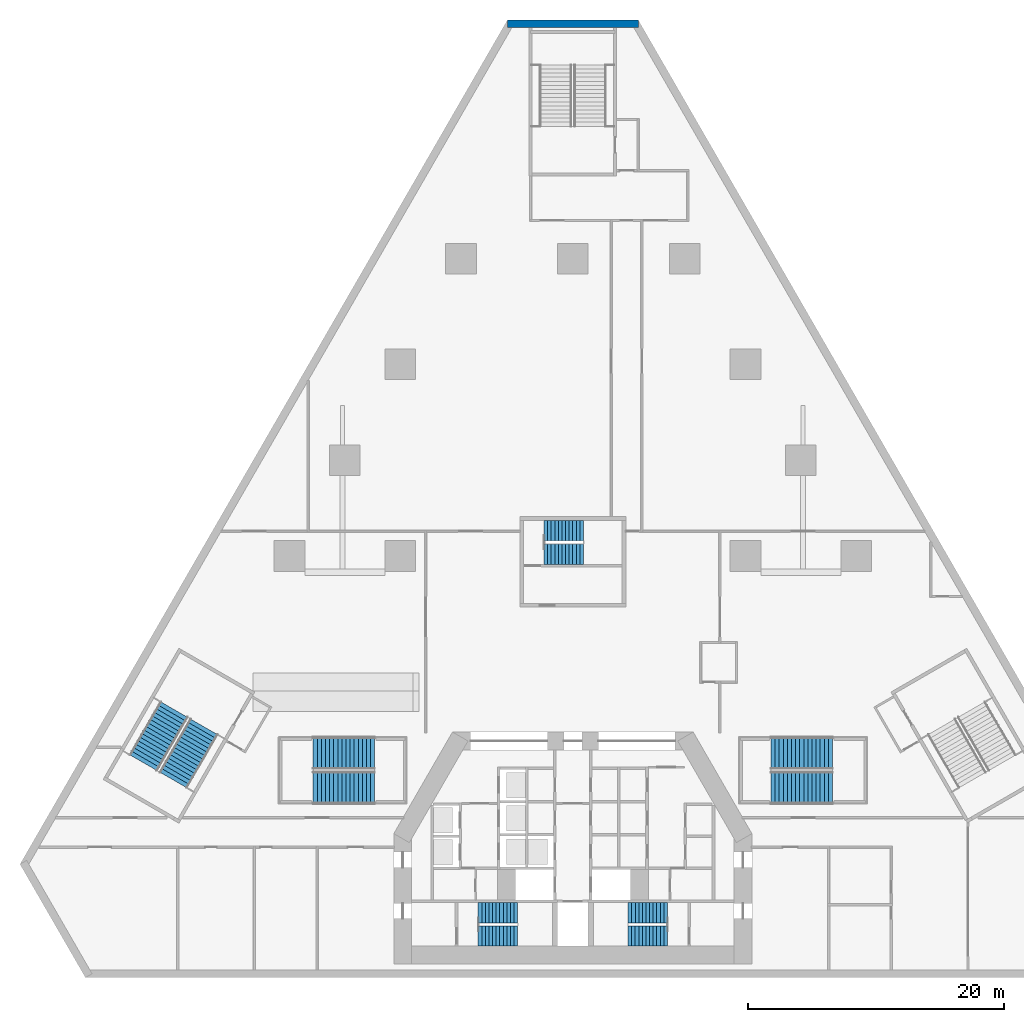
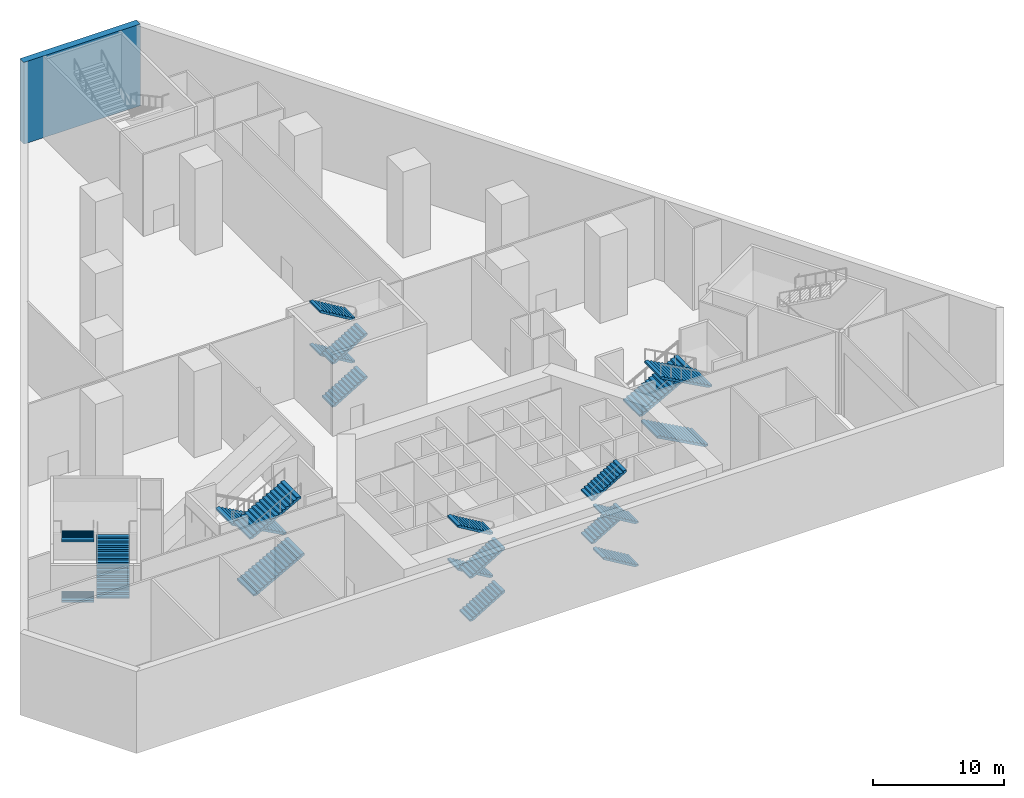
# One storey, part 7 of 11: 21 stair flights, 1 wall, 6 elements without a shape of their own.
"""IFC4 building model written with IfcOpenShell, lengths in metres."""

from ifc_helpers import new_model, si_unit, direction, frame, frame_2d, origin, place, context, subcontext, project, spatial, polyline, rectangle, outline, extrude, material, layer, layer_set, type_object, element, aggregate, save


model = new_model("IFC4")

# Units and contexts
model_context = context("Model", 3, precision=1e-05, world=origin(), true_north=direction((0.0, 1.0)))
body_context = subcontext(model_context, "Body", "Model", "MODEL_VIEW")
ifc_project = project(units=[si_unit("LENGTHUNIT", "METRE"), si_unit("AREAUNIT", "SQUARE_METRE"), si_unit("VOLUMEUNIT", "CUBIC_METRE"), si_unit("PLANEANGLEUNIT", "RADIAN"), si_unit("MASSUNIT", "GRAM", prefix="KILO")], contexts=[model_context])

# Site, building, storey
site_placement = place(None, origin())
site = spatial("IfcSite", under=ifc_project, at=site_placement, CompositionType="ELEMENT")
building_placement = place(site_placement, origin())
building = spatial("IfcBuilding", under=site, at=building_placement, Name="Fogline Exchange Tower", CompositionType="ELEMENT")
storey_placement = place(building_placement, frame((0.0, 0.0, -8.0)))
storey = spatial("IfcBuildingStorey", under=building, at=storey_placement, Name="B1", CompositionType="ELEMENT", Elevation=-8.0)

# Wall
ifc_material = material(Name="Concrete C40", Category="concrete")
ifc_layer = layer(ifc_material, 0.60009765625)
ifc_layer_set = layer_set([ifc_layer], Name="RW01")
wall_type = type_object("IfcWallType", Name="RW01", PredefinedType="SOLIDWALL", material=ifc_layer_set)
wall_placement = place(storey_placement, frame((5.115478515625, 74.378173828125, 0.0), z_axis=(0.0, 0.0, 1.0), x_axis=(-1.0, 0.0, 0.0)))
element("IfcWall", 1, at=wall_placement, inside=storey, type_object=wall_type, Name="B1-W905", PredefinedType="SOLIDWALL", context=body_context, shape_type="SweptSolid", body=[
    extrude(rectangle(XDim=10.23095703125, YDim=0.60009765625, at=frame_2d((5.115478515625, 0.0))), origin(), (0.0, 0.0, 1.0), 7.60009765625),
])

# Stair, stair flights
stair_type_1 = type_object("IfcStairType", Name="PSF0-46-1739", PredefinedType="HALF_TURN_STAIR", material=ifc_material)
stair_1_placement = place(storey_placement, origin())
stair_1 = element("IfcStair", 2, at=stair_1_placement, inside=storey, type_object=stair_type_1, Name="Stair ST4", PredefinedType="HALF_TURN_STAIR")
stair_flight_type_1 = type_object("IfcStairFlightType", Name="PSF1-15-1739", PredefinedType="STRAIGHT", material=ifc_material)
stair_flight_1_placement = place(storey_placement, frame((-31.339111328125, 20.478271484375, 0.0), z_axis=(0.0, 0.0, 1.0), x_axis=(-0.49997940255, -0.866037295401, 0.0)))
stair_flight_1 = element("IfcStairFlight", 3, at=stair_flight_1_placement, type_object=stair_flight_type_1, Name="ST4 flight 1", NumberOfRisers=15, NumberOfTreads=14, PredefinedType="STRAIGHT", RiserHeight=0.173913043, TreadLength=0.32, context=body_context, shape_type="SweptSolid", body=[
    extrude(outline(polyline([(0.0, 0.0), (0.0, 0.173828125), (0.320068359375, 0.173828125), (0.320068359375, 0.347900390625), (0.639892578125, 0.347900390625), (0.639892578125, 0.521728515625), (0.9599609375, 0.521728515625), (0.9599609375, 0.695556640625), (1.280029296875, 0.695556640625), (1.280029296875, 0.86962890625), (1.60009765625, 0.86962890625), (1.60009765625, 1.04345703125), (1.919921875, 1.04345703125), (1.919921875, 1.21728515625), (2.239990234375, 1.21728515625), (2.239990234375, 1.391357421875), (2.56005859375, 1.391357421875), (2.56005859375, 1.565185546875), (2.8798828125, 1.565185546875), (2.8798828125, 1.739013671875), (3.199951171875, 1.739013671875), (3.199951171875, 1.9130859375), (3.52001953125, 1.9130859375), (3.52001953125, 2.0869140625), (3.840087890625, 2.0869140625), (3.840087890625, 2.260986328125), (4.159912109375, 2.260986328125), (4.159912109375, 2.434814453125), (4.47998046875, 2.434814453125), (4.47998046875, 2.608642578125), (4.47998046875, 2.26416015625), (0.31396484375, 0.0), (0.0, 0.0)])), frame((0.0, 1.25, 0.0), z_axis=(0.0, -1.0, 0.0), x_axis=(1.0, 0.0, 0.0)), (0.0, 0.0, 1.0), 2.5),
])
stair_flight_2_placement = place(storey_placement, frame((-31.17919921875, 20.75537109375, 5.391357421875), z_axis=(0.0, 0.0, 1.0), x_axis=(-0.49997940255, -0.866037295401, 0.0)))
stair_flight_2 = element("IfcStairFlight", 4, at=stair_flight_2_placement, type_object=stair_flight_type_1, Name="ST4 flight 3", NumberOfRisers=15, NumberOfTreads=14, PredefinedType="STRAIGHT", RiserHeight=0.173913043, TreadLength=0.32, context=body_context, shape_type="SweptSolid", body=[
    extrude(outline(polyline([(0.0, 0.0), (0.0, 0.173828125), (0.320068359375, 0.173828125), (0.320068359375, 0.347900390625), (0.639892578125, 0.347900390625), (0.639892578125, 0.521728515625), (0.9599609375, 0.521728515625), (0.9599609375, 0.695556640625), (1.280029296875, 0.695556640625), (1.280029296875, 0.86962890625), (1.60009765625, 0.86962890625), (1.60009765625, 1.04345703125), (1.919921875, 1.04345703125), (1.919921875, 1.21728515625), (2.239990234375, 1.21728515625), (2.239990234375, 1.391357421875), (2.56005859375, 1.391357421875), (2.56005859375, 1.565185546875), (2.8798828125, 1.565185546875), (2.8798828125, 1.739013671875), (3.199951171875, 1.739013671875), (3.199951171875, 1.9130859375), (3.52001953125, 1.9130859375), (3.52001953125, 2.0869140625), (3.840087890625, 2.0869140625), (3.840087890625, 2.260986328125), (4.159912109375, 2.260986328125), (4.159912109375, 2.434814453125), (4.47998046875, 2.434814453125), (4.47998046875, 2.608642578125), (4.47998046875, 2.26416015625), (0.31396484375, 0.0), (0.0, 0.0)])), frame((0.0, 1.25, 0.0), z_axis=(0.0, -1.0, 0.0), x_axis=(1.0, 0.0, 0.0)), (0.0, 0.0, 1.0), 2.5),
])

stair_2_placement = place(storey_placement, origin())
stair_2 = element("IfcStair", 5, at=stair_2_placement, inside=storey, type_object=stair_type_1, Name="Public stair PS3", PredefinedType="HALF_TURN_STAIR")
stair_flight_3_placement = place(storey_placement, frame((-19.97998046875, 14.64990234375, 0.0), z_axis=(0.0, 0.0, 1.0), x_axis=(1.0, 0.0, 0.0)))
stair_flight_3 = element("IfcStairFlight", 6, at=stair_flight_3_placement, type_object=stair_flight_type_1, Name="PS3 flight 1", NumberOfRisers=15, NumberOfTreads=14, PredefinedType="STRAIGHT", RiserHeight=0.173913043, TreadLength=0.32, context=body_context, shape_type="SweptSolid", body=[
    extrude(outline(polyline([(0.0, 0.0), (0.0, 0.173828125), (0.320068359375, 0.173828125), (0.320068359375, 0.347900390625), (0.639892578125, 0.347900390625), (0.639892578125, 0.521728515625), (0.9599609375, 0.521728515625), (0.9599609375, 0.695556640625), (1.280029296875, 0.695556640625), (1.280029296875, 0.86962890625), (1.60009765625, 0.86962890625), (1.60009765625, 1.04345703125), (1.919921875, 1.04345703125), (1.919921875, 1.21728515625), (2.239990234375, 1.21728515625), (2.239990234375, 1.391357421875), (2.56005859375, 1.391357421875), (2.56005859375, 1.565185546875), (2.8798828125, 1.565185546875), (2.8798828125, 1.739013671875), (3.199951171875, 1.739013671875), (3.199951171875, 1.9130859375), (3.52001953125, 1.9130859375), (3.52001953125, 2.0869140625), (3.840087890625, 2.0869140625), (3.840087890625, 2.260986328125), (4.159912109375, 2.260986328125), (4.159912109375, 2.434814453125), (4.47998046875, 2.434814453125), (4.47998046875, 2.608642578125), (4.47998046875, 2.26416015625), (0.31396484375, 0.0), (0.0, 0.0)])), frame((0.0, 1.25, 0.0), z_axis=(0.0, -1.0, 0.0), x_axis=(1.0, 0.0, 0.0)), (0.0, 0.0, 1.0), 2.5),
])
stair_flight_4_placement = place(storey_placement, frame((-20.300048828125, 14.64990234375, 5.391357421875), z_axis=(0.0, 0.0, 1.0), x_axis=(1.0, 0.0, 0.0)))
stair_flight_4 = element("IfcStairFlight", 7, at=stair_flight_4_placement, type_object=stair_flight_type_1, Name="PS3 flight 3", NumberOfRisers=15, NumberOfTreads=14, PredefinedType="STRAIGHT", RiserHeight=0.173913043, TreadLength=0.32, context=body_context, shape_type="SweptSolid", body=[
    extrude(outline(polyline([(0.0, 0.0), (0.0, 0.173828125), (0.320068359375, 0.173828125), (0.320068359375, 0.347900390625), (0.639892578125, 0.347900390625), (0.639892578125, 0.521728515625), (0.9599609375, 0.521728515625), (0.9599609375, 0.695556640625), (1.280029296875, 0.695556640625), (1.280029296875, 0.86962890625), (1.60009765625, 0.86962890625), (1.60009765625, 1.04345703125), (1.919921875, 1.04345703125), (1.919921875, 1.21728515625), (2.239990234375, 1.21728515625), (2.239990234375, 1.391357421875), (2.56005859375, 1.391357421875), (2.56005859375, 1.565185546875), (2.8798828125, 1.565185546875), (2.8798828125, 1.739013671875), (3.199951171875, 1.739013671875), (3.199951171875, 1.9130859375), (3.52001953125, 1.9130859375), (3.52001953125, 2.0869140625), (3.840087890625, 2.0869140625), (3.840087890625, 2.260986328125), (4.159912109375, 2.260986328125), (4.159912109375, 2.434814453125), (4.47998046875, 2.434814453125), (4.47998046875, 2.608642578125), (4.47998046875, 2.26416015625), (0.31396484375, 0.0), (0.0, 0.0)])), frame((0.0, 1.25, 0.0), z_axis=(0.0, -1.0, 0.0), x_axis=(1.0, 0.0, 0.0)), (0.0, 0.0, 1.0), 2.5),
])

stair_3_placement = place(storey_placement, origin())
stair_3 = element("IfcStair", 8, at=stair_3_placement, inside=storey, type_object=stair_type_1, Name="Public stair PS4", PredefinedType="HALF_TURN_STAIR")
stair_flight_5_placement = place(storey_placement, frame((19.97998046875, 14.64990234375, 0.0), z_axis=(0.0, 0.0, 1.0), x_axis=(-1.0, 0.0, 0.0)))
stair_flight_5 = element("IfcStairFlight", 9, at=stair_flight_5_placement, type_object=stair_flight_type_1, Name="PS4 flight 1", NumberOfRisers=15, NumberOfTreads=14, PredefinedType="STRAIGHT", RiserHeight=0.173913043, TreadLength=0.32, context=body_context, shape_type="SweptSolid", body=[
    extrude(outline(polyline([(0.0, 0.0), (0.0, 0.173828125), (0.320068359375, 0.173828125), (0.320068359375, 0.347900390625), (0.639892578125, 0.347900390625), (0.639892578125, 0.521728515625), (0.9599609375, 0.521728515625), (0.9599609375, 0.695556640625), (1.280029296875, 0.695556640625), (1.280029296875, 0.86962890625), (1.60009765625, 0.86962890625), (1.60009765625, 1.04345703125), (1.919921875, 1.04345703125), (1.919921875, 1.21728515625), (2.239990234375, 1.21728515625), (2.239990234375, 1.391357421875), (2.56005859375, 1.391357421875), (2.56005859375, 1.565185546875), (2.8798828125, 1.565185546875), (2.8798828125, 1.739013671875), (3.199951171875, 1.739013671875), (3.199951171875, 1.9130859375), (3.52001953125, 1.9130859375), (3.52001953125, 2.0869140625), (3.840087890625, 2.0869140625), (3.840087890625, 2.260986328125), (4.159912109375, 2.260986328125), (4.159912109375, 2.434814453125), (4.47998046875, 2.434814453125), (4.47998046875, 2.608642578125), (4.47998046875, 2.26416015625), (0.31396484375, 0.0), (0.0, 0.0)])), frame((0.0, 1.25, 0.0), z_axis=(0.0, -1.0, 0.0), x_axis=(1.0, 0.0, 0.0)), (0.0, 0.0, 1.0), 2.5),
])
stair_flight_6_placement = place(storey_placement, frame((20.300048828125, 14.64990234375, 5.391357421875), z_axis=(0.0, 0.0, 1.0), x_axis=(-1.0, 0.0, 0.0)))
stair_flight_6 = element("IfcStairFlight", 10, at=stair_flight_6_placement, type_object=stair_flight_type_1, Name="PS4 flight 3", NumberOfRisers=15, NumberOfTreads=14, PredefinedType="STRAIGHT", RiserHeight=0.173913043, TreadLength=0.32, context=body_context, shape_type="SweptSolid", body=[
    extrude(outline(polyline([(0.0, 0.0), (0.0, 0.173828125), (0.320068359375, 0.173828125), (0.320068359375, 0.347900390625), (0.639892578125, 0.347900390625), (0.639892578125, 0.521728515625), (0.9599609375, 0.521728515625), (0.9599609375, 0.695556640625), (1.280029296875, 0.695556640625), (1.280029296875, 0.86962890625), (1.60009765625, 0.86962890625), (1.60009765625, 1.04345703125), (1.919921875, 1.04345703125), (1.919921875, 1.21728515625), (2.239990234375, 1.21728515625), (2.239990234375, 1.391357421875), (2.56005859375, 1.391357421875), (2.56005859375, 1.565185546875), (2.8798828125, 1.565185546875), (2.8798828125, 1.739013671875), (3.199951171875, 1.739013671875), (3.199951171875, 1.9130859375), (3.52001953125, 1.9130859375), (3.52001953125, 2.0869140625), (3.840087890625, 2.0869140625), (3.840087890625, 2.260986328125), (4.159912109375, 2.260986328125), (4.159912109375, 2.434814453125), (4.47998046875, 2.434814453125), (4.47998046875, 2.608642578125), (4.47998046875, 2.26416015625), (0.31396484375, 0.0), (0.0, 0.0)])), frame((0.0, 1.25, 0.0), z_axis=(0.0, -1.0, 0.0), x_axis=(1.0, 0.0, 0.0)), (0.0, 0.0, 1.0), 2.5),
])

# Stair flight
stair_flight_type_2 = type_object("IfcStairFlightType", Name="PSF1-16-1739", PredefinedType="STRAIGHT", material=ifc_material)
stair_flight_7_placement = place(storey_placement, frame((-31.24072265625, 15.24853515625, 2.608642578125), z_axis=(0.0, 0.0, 1.0), x_axis=(0.49997940255, 0.866037295401, 0.0)))
stair_flight_7 = element("IfcStairFlight", 11, at=stair_flight_7_placement, type_object=stair_flight_type_2, Name="ST4 flight 2", NumberOfRisers=16, NumberOfTreads=15, PredefinedType="STRAIGHT", RiserHeight=0.173913043, TreadLength=0.32, context=body_context, shape_type="SweptSolid", body=[
    extrude(outline(polyline([(0.0, 0.0), (0.0, 0.173828125), (0.320068359375, 0.173828125), (0.320068359375, 0.347900390625), (0.639892578125, 0.347900390625), (0.639892578125, 0.521728515625), (0.9599609375, 0.521728515625), (0.9599609375, 0.695556640625), (1.280029296875, 0.695556640625), (1.280029296875, 0.86962890625), (1.60009765625, 0.86962890625), (1.60009765625, 1.04345703125), (1.919921875, 1.04345703125), (1.919921875, 1.21728515625), (2.239990234375, 1.21728515625), (2.239990234375, 1.391357421875), (2.56005859375, 1.391357421875), (2.56005859375, 1.565185546875), (2.8798828125, 1.565185546875), (2.8798828125, 1.739013671875), (3.199951171875, 1.739013671875), (3.199951171875, 1.9130859375), (3.52001953125, 1.9130859375), (3.52001953125, 2.0869140625), (3.840087890625, 2.0869140625), (3.840087890625, 2.260986328125), (4.159912109375, 2.260986328125), (4.159912109375, 2.434814453125), (4.47998046875, 2.434814453125), (4.47998046875, 2.608642578125), (4.800048828125, 2.608642578125), (4.800048828125, 2.78271484375), (4.800048828125, 2.43798828125), (0.31396484375, 0.0), (0.0, 0.0)])), frame((0.0, 1.25, 0.0), z_axis=(0.0, -1.0, 0.0), x_axis=(1.0, 0.0, 0.0)), (0.0, 0.0, 1.0), 2.5),
])

aggregate(stair_1, [stair_flight_1, stair_flight_7, stair_flight_2])

stair_flight_8_placement = place(storey_placement, frame((-15.5, 17.35009765625, 2.608642578125), z_axis=(0.0, 0.0, 1.0), x_axis=(-1.0, 0.0, 0.0)))
stair_flight_8 = element("IfcStairFlight", 12, at=stair_flight_8_placement, type_object=stair_flight_type_2, Name="PS3 flight 2", NumberOfRisers=16, NumberOfTreads=15, PredefinedType="STRAIGHT", RiserHeight=0.173913043, TreadLength=0.32, context=body_context, shape_type="SweptSolid", body=[
    extrude(outline(polyline([(0.0, 0.0), (0.0, 0.173828125), (0.320068359375, 0.173828125), (0.320068359375, 0.347900390625), (0.639892578125, 0.347900390625), (0.639892578125, 0.521728515625), (0.9599609375, 0.521728515625), (0.9599609375, 0.695556640625), (1.280029296875, 0.695556640625), (1.280029296875, 0.86962890625), (1.60009765625, 0.86962890625), (1.60009765625, 1.04345703125), (1.919921875, 1.04345703125), (1.919921875, 1.21728515625), (2.239990234375, 1.21728515625), (2.239990234375, 1.391357421875), (2.56005859375, 1.391357421875), (2.56005859375, 1.565185546875), (2.8798828125, 1.565185546875), (2.8798828125, 1.739013671875), (3.199951171875, 1.739013671875), (3.199951171875, 1.9130859375), (3.52001953125, 1.9130859375), (3.52001953125, 2.0869140625), (3.840087890625, 2.0869140625), (3.840087890625, 2.260986328125), (4.159912109375, 2.260986328125), (4.159912109375, 2.434814453125), (4.47998046875, 2.434814453125), (4.47998046875, 2.608642578125), (4.800048828125, 2.608642578125), (4.800048828125, 2.78271484375), (4.800048828125, 2.43798828125), (0.31396484375, 0.0), (0.0, 0.0)])), frame((0.0, 1.25, 0.0), z_axis=(0.0, -1.0, 0.0), x_axis=(1.0, 0.0, 0.0)), (0.0, 0.0, 1.0), 2.5),
])

aggregate(stair_2, [stair_flight_3, stair_flight_8, stair_flight_4])

stair_flight_9_placement = place(storey_placement, frame((15.5, 17.35009765625, 2.608642578125), z_axis=(0.0, 0.0, 1.0), x_axis=(1.0, 0.0, 0.0)))
stair_flight_9 = element("IfcStairFlight", 13, at=stair_flight_9_placement, type_object=stair_flight_type_2, Name="PS4 flight 2", NumberOfRisers=16, NumberOfTreads=15, PredefinedType="STRAIGHT", RiserHeight=0.173913043, TreadLength=0.32, context=body_context, shape_type="SweptSolid", body=[
    extrude(outline(polyline([(0.0, 0.0), (0.0, 0.173828125), (0.320068359375, 0.173828125), (0.320068359375, 0.347900390625), (0.639892578125, 0.347900390625), (0.639892578125, 0.521728515625), (0.9599609375, 0.521728515625), (0.9599609375, 0.695556640625), (1.280029296875, 0.695556640625), (1.280029296875, 0.86962890625), (1.60009765625, 0.86962890625), (1.60009765625, 1.04345703125), (1.919921875, 1.04345703125), (1.919921875, 1.21728515625), (2.239990234375, 1.21728515625), (2.239990234375, 1.391357421875), (2.56005859375, 1.391357421875), (2.56005859375, 1.565185546875), (2.8798828125, 1.565185546875), (2.8798828125, 1.739013671875), (3.199951171875, 1.739013671875), (3.199951171875, 1.9130859375), (3.52001953125, 1.9130859375), (3.52001953125, 2.0869140625), (3.840087890625, 2.0869140625), (3.840087890625, 2.260986328125), (4.159912109375, 2.260986328125), (4.159912109375, 2.434814453125), (4.47998046875, 2.434814453125), (4.47998046875, 2.608642578125), (4.800048828125, 2.608642578125), (4.800048828125, 2.78271484375), (4.800048828125, 2.43798828125), (0.31396484375, 0.0), (0.0, 0.0)])), frame((0.0, 1.25, 0.0), z_axis=(0.0, -1.0, 0.0), x_axis=(1.0, 0.0, 0.0)), (0.0, 0.0, 1.0), 2.5),
])

aggregate(stair_3, [stair_flight_5, stair_flight_9, stair_flight_6])

# Stair, stair flights
stair_type_2 = type_object("IfcStairType", Name="STR48-1667", PredefinedType="HALF_TURN_STAIR", material=ifc_material)
stair_4_placement = place(storey_placement, origin())
stair_4 = element("IfcStair", 14, at=stair_4_placement, inside=storey, type_object=stair_type_2, Name="Stair ST1", PredefinedType="HALF_TURN_STAIR")
stair_flight_type_3 = type_object("IfcStairFlightType", Name="SF12-1667", PredefinedType="STRAIGHT", material=ifc_material)
stair_flight_10_placement = place(storey_placement, frame((-7.39990234375, 3.050048828125, 0.0), z_axis=(0.0, 0.0, 1.0), x_axis=(1.0, 0.0, 0.0)))
stair_flight_10 = element("IfcStairFlight", 15, at=stair_flight_10_placement, type_object=stair_flight_type_3, Name="ST1 flight 1", NumberOfRisers=12, NumberOfTreads=11, PredefinedType="STRAIGHT", RiserHeight=0.166666667, TreadLength=0.28, context=body_context, shape_type="SweptSolid", body=[
    extrude(outline(polyline([(0.0, 0.0), (0.0, 0.166748046875), (0.280029296875, 0.166748046875), (0.280029296875, 0.333251953125), (0.56005859375, 0.333251953125), (0.56005859375, 0.5), (0.840087890625, 0.5), (0.840087890625, 0.666748046875), (1.1201171875, 0.666748046875), (1.1201171875, 0.833251953125), (1.39990234375, 0.833251953125), (1.39990234375, 1.0), (1.679931640625, 1.0), (1.679931640625, 1.166748046875), (1.9599609375, 1.166748046875), (1.9599609375, 1.333251953125), (2.239990234375, 1.333251953125), (2.239990234375, 1.5), (2.52001953125, 1.5), (2.52001953125, 1.666748046875), (2.800048828125, 1.666748046875), (2.800048828125, 1.833251953125), (3.080078125, 1.833251953125), (3.080078125, 2.0), (3.080078125, 1.658935546875), (0.29296875, 0.0), (0.0, 0.0)])), frame((0.0, 0.800048828125, 0.0), z_axis=(0.0, -1.0, 0.0), x_axis=(1.0, 0.0, 0.0)), (0.0, 0.0, 1.0), 1.60009765625),
])
stair_flight_11_placement = place(storey_placement, frame((-4.320068359375, 4.85009765625, 2.0), z_axis=(0.0, 0.0, 1.0), x_axis=(-1.0, 0.0, 0.0)))
stair_flight_11 = element("IfcStairFlight", 16, at=stair_flight_11_placement, type_object=stair_flight_type_3, Name="ST1 flight 2", NumberOfRisers=12, NumberOfTreads=11, PredefinedType="STRAIGHT", RiserHeight=0.166666667, TreadLength=0.28, context=body_context, shape_type="SweptSolid", body=[
    extrude(outline(polyline([(0.0, 0.0), (0.0, 0.166748046875), (0.280029296875, 0.166748046875), (0.280029296875, 0.333251953125), (0.56005859375, 0.333251953125), (0.56005859375, 0.5), (0.840087890625, 0.5), (0.840087890625, 0.666748046875), (1.1201171875, 0.666748046875), (1.1201171875, 0.833251953125), (1.39990234375, 0.833251953125), (1.39990234375, 1.0), (1.679931640625, 1.0), (1.679931640625, 1.166748046875), (1.9599609375, 1.166748046875), (1.9599609375, 1.333251953125), (2.239990234375, 1.333251953125), (2.239990234375, 1.5), (2.52001953125, 1.5), (2.52001953125, 1.666748046875), (2.800048828125, 1.666748046875), (2.800048828125, 1.833251953125), (3.080078125, 1.833251953125), (3.080078125, 2.0), (3.080078125, 1.658935546875), (0.29296875, 0.0), (0.0, 0.0)])), frame((0.0, 0.800048828125, 0.0), z_axis=(0.0, -1.0, 0.0), x_axis=(1.0, 0.0, 0.0)), (0.0, 0.0, 1.0), 1.60009765625),
])
stair_flight_12_placement = place(storey_placement, frame((-7.39990234375, 3.050048828125, 4.0), z_axis=(0.0, 0.0, 1.0), x_axis=(1.0, 0.0, 0.0)))
stair_flight_12 = element("IfcStairFlight", 17, at=stair_flight_12_placement, type_object=stair_flight_type_3, Name="ST1 flight 3", NumberOfRisers=12, NumberOfTreads=11, PredefinedType="STRAIGHT", RiserHeight=0.166666667, TreadLength=0.28, context=body_context, shape_type="SweptSolid", body=[
    extrude(outline(polyline([(0.0, 0.0), (0.0, 0.166748046875), (0.280029296875, 0.166748046875), (0.280029296875, 0.333251953125), (0.56005859375, 0.333251953125), (0.56005859375, 0.5), (0.840087890625, 0.5), (0.840087890625, 0.666748046875), (1.1201171875, 0.666748046875), (1.1201171875, 0.833251953125), (1.39990234375, 0.833251953125), (1.39990234375, 1.0), (1.679931640625, 1.0), (1.679931640625, 1.166748046875), (1.9599609375, 1.166748046875), (1.9599609375, 1.333251953125), (2.239990234375, 1.333251953125), (2.239990234375, 1.5), (2.52001953125, 1.5), (2.52001953125, 1.666748046875), (2.800048828125, 1.666748046875), (2.800048828125, 1.833251953125), (3.080078125, 1.833251953125), (3.080078125, 2.0), (3.080078125, 1.658935546875), (0.29296875, 0.0), (0.0, 0.0)])), frame((0.0, 0.800048828125, 0.0), z_axis=(0.0, -1.0, 0.0), x_axis=(1.0, 0.0, 0.0)), (0.0, 0.0, 1.0), 1.60009765625),
])
stair_flight_13_placement = place(storey_placement, frame((-4.320068359375, 4.85009765625, 6.0), z_axis=(0.0, 0.0, 1.0), x_axis=(-1.0, 0.0, 0.0)))
stair_flight_13 = element("IfcStairFlight", 18, at=stair_flight_13_placement, type_object=stair_flight_type_3, Name="ST1 flight 4", NumberOfRisers=12, NumberOfTreads=11, PredefinedType="STRAIGHT", RiserHeight=0.166666667, TreadLength=0.28, context=body_context, shape_type="SweptSolid", body=[
    extrude(outline(polyline([(0.0, 0.0), (0.0, 0.166748046875), (0.280029296875, 0.166748046875), (0.280029296875, 0.333251953125), (0.56005859375, 0.333251953125), (0.56005859375, 0.5), (0.840087890625, 0.5), (0.840087890625, 0.666748046875), (1.1201171875, 0.666748046875), (1.1201171875, 0.833251953125), (1.39990234375, 0.833251953125), (1.39990234375, 1.0), (1.679931640625, 1.0), (1.679931640625, 1.166748046875), (1.9599609375, 1.166748046875), (1.9599609375, 1.333251953125), (2.239990234375, 1.333251953125), (2.239990234375, 1.5), (2.52001953125, 1.5), (2.52001953125, 1.666748046875), (2.800048828125, 1.666748046875), (2.800048828125, 1.833251953125), (3.080078125, 1.833251953125), (3.080078125, 2.0), (3.080078125, 1.658935546875), (0.29296875, 0.0), (0.0, 0.0)])), frame((0.0, 0.800048828125, 0.0), z_axis=(0.0, -1.0, 0.0), x_axis=(1.0, 0.0, 0.0)), (0.0, 0.0, 1.0), 1.60009765625),
])
aggregate(stair_4, [stair_flight_10, stair_flight_11, stair_flight_12, stair_flight_13])

stair_5_placement = place(storey_placement, origin())
stair_5 = element("IfcStair", 19, at=stair_5_placement, inside=storey, type_object=stair_type_2, Name="Stair ST2", PredefinedType="HALF_TURN_STAIR")
stair_flight_14_placement = place(storey_placement, frame((7.39990234375, 3.050048828125, 0.0), z_axis=(0.0, 0.0, 1.0), x_axis=(-1.0, 0.0, 0.0)))
stair_flight_14 = element("IfcStairFlight", 20, at=stair_flight_14_placement, type_object=stair_flight_type_3, Name="ST2 flight 1", NumberOfRisers=12, NumberOfTreads=11, PredefinedType="STRAIGHT", RiserHeight=0.166666667, TreadLength=0.28, context=body_context, shape_type="SweptSolid", body=[
    extrude(outline(polyline([(0.0, 0.0), (0.0, 0.166748046875), (0.280029296875, 0.166748046875), (0.280029296875, 0.333251953125), (0.56005859375, 0.333251953125), (0.56005859375, 0.5), (0.840087890625, 0.5), (0.840087890625, 0.666748046875), (1.1201171875, 0.666748046875), (1.1201171875, 0.833251953125), (1.39990234375, 0.833251953125), (1.39990234375, 1.0), (1.679931640625, 1.0), (1.679931640625, 1.166748046875), (1.9599609375, 1.166748046875), (1.9599609375, 1.333251953125), (2.239990234375, 1.333251953125), (2.239990234375, 1.5), (2.52001953125, 1.5), (2.52001953125, 1.666748046875), (2.800048828125, 1.666748046875), (2.800048828125, 1.833251953125), (3.080078125, 1.833251953125), (3.080078125, 2.0), (3.080078125, 1.658935546875), (0.29296875, 0.0), (0.0, 0.0)])), frame((0.0, 0.800048828125, 0.0), z_axis=(0.0, -1.0, 0.0), x_axis=(1.0, 0.0, 0.0)), (0.0, 0.0, 1.0), 1.60009765625),
])
stair_flight_15_placement = place(storey_placement, frame((4.320068359375, 4.85009765625, 2.0), z_axis=(0.0, 0.0, 1.0), x_axis=(1.0, 0.0, 0.0)))
stair_flight_15 = element("IfcStairFlight", 21, at=stair_flight_15_placement, type_object=stair_flight_type_3, Name="ST2 flight 2", NumberOfRisers=12, NumberOfTreads=11, PredefinedType="STRAIGHT", RiserHeight=0.166666667, TreadLength=0.28, context=body_context, shape_type="SweptSolid", body=[
    extrude(outline(polyline([(0.0, 0.0), (0.0, 0.166748046875), (0.280029296875, 0.166748046875), (0.280029296875, 0.333251953125), (0.56005859375, 0.333251953125), (0.56005859375, 0.5), (0.840087890625, 0.5), (0.840087890625, 0.666748046875), (1.1201171875, 0.666748046875), (1.1201171875, 0.833251953125), (1.39990234375, 0.833251953125), (1.39990234375, 1.0), (1.679931640625, 1.0), (1.679931640625, 1.166748046875), (1.9599609375, 1.166748046875), (1.9599609375, 1.333251953125), (2.239990234375, 1.333251953125), (2.239990234375, 1.5), (2.52001953125, 1.5), (2.52001953125, 1.666748046875), (2.800048828125, 1.666748046875), (2.800048828125, 1.833251953125), (3.080078125, 1.833251953125), (3.080078125, 2.0), (3.080078125, 1.658935546875), (0.29296875, 0.0), (0.0, 0.0)])), frame((0.0, 0.800048828125, 0.0), z_axis=(0.0, -1.0, 0.0), x_axis=(1.0, 0.0, 0.0)), (0.0, 0.0, 1.0), 1.60009765625),
])
stair_flight_16_placement = place(storey_placement, frame((7.39990234375, 3.050048828125, 4.0), z_axis=(0.0, 0.0, 1.0), x_axis=(-1.0, 0.0, 0.0)))
stair_flight_16 = element("IfcStairFlight", 22, at=stair_flight_16_placement, type_object=stair_flight_type_3, Name="ST2 flight 3", NumberOfRisers=12, NumberOfTreads=11, PredefinedType="STRAIGHT", RiserHeight=0.166666667, TreadLength=0.28, context=body_context, shape_type="SweptSolid", body=[
    extrude(outline(polyline([(0.0, 0.0), (0.0, 0.166748046875), (0.280029296875, 0.166748046875), (0.280029296875, 0.333251953125), (0.56005859375, 0.333251953125), (0.56005859375, 0.5), (0.840087890625, 0.5), (0.840087890625, 0.666748046875), (1.1201171875, 0.666748046875), (1.1201171875, 0.833251953125), (1.39990234375, 0.833251953125), (1.39990234375, 1.0), (1.679931640625, 1.0), (1.679931640625, 1.166748046875), (1.9599609375, 1.166748046875), (1.9599609375, 1.333251953125), (2.239990234375, 1.333251953125), (2.239990234375, 1.5), (2.52001953125, 1.5), (2.52001953125, 1.666748046875), (2.800048828125, 1.666748046875), (2.800048828125, 1.833251953125), (3.080078125, 1.833251953125), (3.080078125, 2.0), (3.080078125, 1.658935546875), (0.29296875, 0.0), (0.0, 0.0)])), frame((0.0, 0.800048828125, 0.0), z_axis=(0.0, -1.0, 0.0), x_axis=(1.0, 0.0, 0.0)), (0.0, 0.0, 1.0), 1.60009765625),
])
stair_flight_17_placement = place(storey_placement, frame((4.320068359375, 4.85009765625, 6.0), z_axis=(0.0, 0.0, 1.0), x_axis=(1.0, 0.0, 0.0)))
stair_flight_17 = element("IfcStairFlight", 23, at=stair_flight_17_placement, type_object=stair_flight_type_3, Name="ST2 flight 4", NumberOfRisers=12, NumberOfTreads=11, PredefinedType="STRAIGHT", RiserHeight=0.166666667, TreadLength=0.28, context=body_context, shape_type="SweptSolid", body=[
    extrude(outline(polyline([(0.0, 0.0), (0.0, 0.166748046875), (0.280029296875, 0.166748046875), (0.280029296875, 0.333251953125), (0.56005859375, 0.333251953125), (0.56005859375, 0.5), (0.840087890625, 0.5), (0.840087890625, 0.666748046875), (1.1201171875, 0.666748046875), (1.1201171875, 0.833251953125), (1.39990234375, 0.833251953125), (1.39990234375, 1.0), (1.679931640625, 1.0), (1.679931640625, 1.166748046875), (1.9599609375, 1.166748046875), (1.9599609375, 1.333251953125), (2.239990234375, 1.333251953125), (2.239990234375, 1.5), (2.52001953125, 1.5), (2.52001953125, 1.666748046875), (2.800048828125, 1.666748046875), (2.800048828125, 1.833251953125), (3.080078125, 1.833251953125), (3.080078125, 2.0), (3.080078125, 1.658935546875), (0.29296875, 0.0), (0.0, 0.0)])), frame((0.0, 0.800048828125, 0.0), z_axis=(0.0, -1.0, 0.0), x_axis=(1.0, 0.0, 0.0)), (0.0, 0.0, 1.0), 1.60009765625),
])
aggregate(stair_5, [stair_flight_14, stair_flight_15, stair_flight_16, stair_flight_17])

stair_6_placement = place(storey_placement, origin())
stair_6 = element("IfcStair", 24, at=stair_6_placement, inside=storey, type_object=stair_type_2, Name="Stair ST3", PredefinedType="HALF_TURN_STAIR")
stair_flight_18_placement = place(storey_placement, frame((-2.25, 32.906982421875, 0.0), z_axis=(0.0, 0.0, 1.0), x_axis=(1.0, 0.0, 0.0)))
stair_flight_18 = element("IfcStairFlight", 25, at=stair_flight_18_placement, type_object=stair_flight_type_3, Name="ST3 flight 1", NumberOfRisers=12, NumberOfTreads=11, PredefinedType="STRAIGHT", RiserHeight=0.166666667, TreadLength=0.28, context=body_context, shape_type="SweptSolid", body=[
    extrude(outline(polyline([(0.0, 0.0), (0.0, 0.166748046875), (0.280029296875, 0.166748046875), (0.280029296875, 0.333251953125), (0.56005859375, 0.333251953125), (0.56005859375, 0.5), (0.840087890625, 0.5), (0.840087890625, 0.666748046875), (1.1201171875, 0.666748046875), (1.1201171875, 0.833251953125), (1.39990234375, 0.833251953125), (1.39990234375, 1.0), (1.679931640625, 1.0), (1.679931640625, 1.166748046875), (1.9599609375, 1.166748046875), (1.9599609375, 1.333251953125), (2.239990234375, 1.333251953125), (2.239990234375, 1.5), (2.52001953125, 1.5), (2.52001953125, 1.666748046875), (2.800048828125, 1.666748046875), (2.800048828125, 1.833251953125), (3.080078125, 1.833251953125), (3.080078125, 2.0), (3.080078125, 1.658935546875), (0.29296875, 0.0), (0.0, 0.0)])), frame((0.0, 0.800048828125, 0.0), z_axis=(0.0, -1.0, 0.0), x_axis=(1.0, 0.0, 0.0)), (0.0, 0.0, 1.0), 1.60009765625),
])
stair_flight_19_placement = place(storey_placement, frame((0.830078125, 34.757080078125, 2.0), z_axis=(0.0, 0.0, 1.0), x_axis=(-1.0, 0.0, 0.0)))
stair_flight_19 = element("IfcStairFlight", 26, at=stair_flight_19_placement, type_object=stair_flight_type_3, Name="ST3 flight 2", NumberOfRisers=12, NumberOfTreads=11, PredefinedType="STRAIGHT", RiserHeight=0.166666667, TreadLength=0.28, context=body_context, shape_type="SweptSolid", body=[
    extrude(outline(polyline([(0.0, 0.0), (0.0, 0.166748046875), (0.280029296875, 0.166748046875), (0.280029296875, 0.333251953125), (0.56005859375, 0.333251953125), (0.56005859375, 0.5), (0.840087890625, 0.5), (0.840087890625, 0.666748046875), (1.1201171875, 0.666748046875), (1.1201171875, 0.833251953125), (1.39990234375, 0.833251953125), (1.39990234375, 1.0), (1.679931640625, 1.0), (1.679931640625, 1.166748046875), (1.9599609375, 1.166748046875), (1.9599609375, 1.333251953125), (2.239990234375, 1.333251953125), (2.239990234375, 1.5), (2.52001953125, 1.5), (2.52001953125, 1.666748046875), (2.800048828125, 1.666748046875), (2.800048828125, 1.833251953125), (3.080078125, 1.833251953125), (3.080078125, 2.0), (3.080078125, 1.658935546875), (0.29296875, 0.0), (0.0, 0.0)])), frame((0.0, 0.800048828125, 0.0), z_axis=(0.0, -1.0, 0.0), x_axis=(1.0, 0.0, 0.0)), (0.0, 0.0, 1.0), 1.60009765625),
])
stair_flight_20_placement = place(storey_placement, frame((-2.25, 32.906982421875, 4.0), z_axis=(0.0, 0.0, 1.0), x_axis=(1.0, 0.0, 0.0)))
stair_flight_20 = element("IfcStairFlight", 27, at=stair_flight_20_placement, type_object=stair_flight_type_3, Name="ST3 flight 3", NumberOfRisers=12, NumberOfTreads=11, PredefinedType="STRAIGHT", RiserHeight=0.166666667, TreadLength=0.28, context=body_context, shape_type="SweptSolid", body=[
    extrude(outline(polyline([(0.0, 0.0), (0.0, 0.166748046875), (0.280029296875, 0.166748046875), (0.280029296875, 0.333251953125), (0.56005859375, 0.333251953125), (0.56005859375, 0.5), (0.840087890625, 0.5), (0.840087890625, 0.666748046875), (1.1201171875, 0.666748046875), (1.1201171875, 0.833251953125), (1.39990234375, 0.833251953125), (1.39990234375, 1.0), (1.679931640625, 1.0), (1.679931640625, 1.166748046875), (1.9599609375, 1.166748046875), (1.9599609375, 1.333251953125), (2.239990234375, 1.333251953125), (2.239990234375, 1.5), (2.52001953125, 1.5), (2.52001953125, 1.666748046875), (2.800048828125, 1.666748046875), (2.800048828125, 1.833251953125), (3.080078125, 1.833251953125), (3.080078125, 2.0), (3.080078125, 1.658935546875), (0.29296875, 0.0), (0.0, 0.0)])), frame((0.0, 0.800048828125, 0.0), z_axis=(0.0, -1.0, 0.0), x_axis=(1.0, 0.0, 0.0)), (0.0, 0.0, 1.0), 1.60009765625),
])
stair_flight_21_placement = place(storey_placement, frame((0.830078125, 34.757080078125, 6.0), z_axis=(0.0, 0.0, 1.0), x_axis=(-1.0, 0.0, 0.0)))
stair_flight_21 = element("IfcStairFlight", 28, at=stair_flight_21_placement, type_object=stair_flight_type_3, Name="ST3 flight 4", NumberOfRisers=12, NumberOfTreads=11, PredefinedType="STRAIGHT", RiserHeight=0.166666667, TreadLength=0.28, context=body_context, shape_type="SweptSolid", body=[
    extrude(outline(polyline([(0.0, 0.0), (0.0, 0.166748046875), (0.280029296875, 0.166748046875), (0.280029296875, 0.333251953125), (0.56005859375, 0.333251953125), (0.56005859375, 0.5), (0.840087890625, 0.5), (0.840087890625, 0.666748046875), (1.1201171875, 0.666748046875), (1.1201171875, 0.833251953125), (1.39990234375, 0.833251953125), (1.39990234375, 1.0), (1.679931640625, 1.0), (1.679931640625, 1.166748046875), (1.9599609375, 1.166748046875), (1.9599609375, 1.333251953125), (2.239990234375, 1.333251953125), (2.239990234375, 1.5), (2.52001953125, 1.5), (2.52001953125, 1.666748046875), (2.800048828125, 1.666748046875), (2.800048828125, 1.833251953125), (3.080078125, 1.833251953125), (3.080078125, 2.0), (3.080078125, 1.658935546875), (0.29296875, 0.0), (0.0, 0.0)])), frame((0.0, 0.800048828125, 0.0), z_axis=(0.0, -1.0, 0.0), x_axis=(1.0, 0.0, 0.0)), (0.0, 0.0, 1.0), 1.60009765625),
])
aggregate(stair_6, [stair_flight_18, stair_flight_19, stair_flight_20, stair_flight_21])

save(model, "model.ifc")
